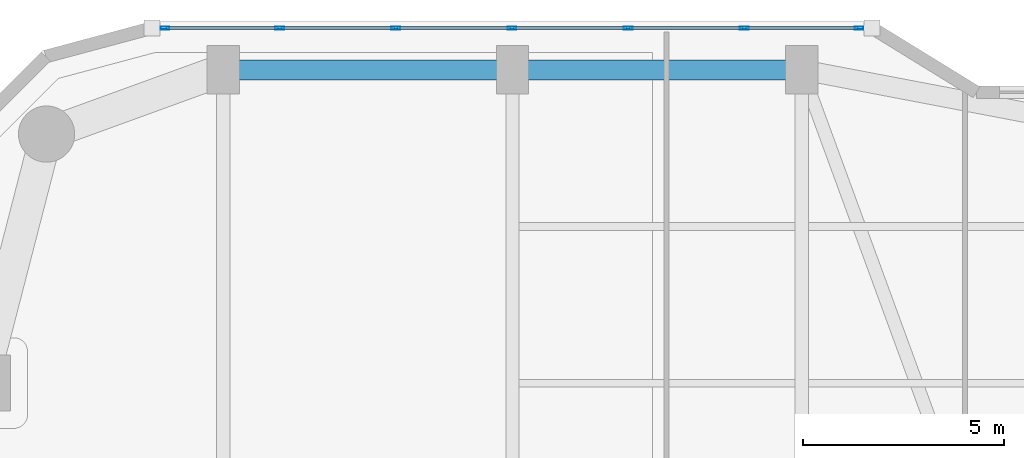
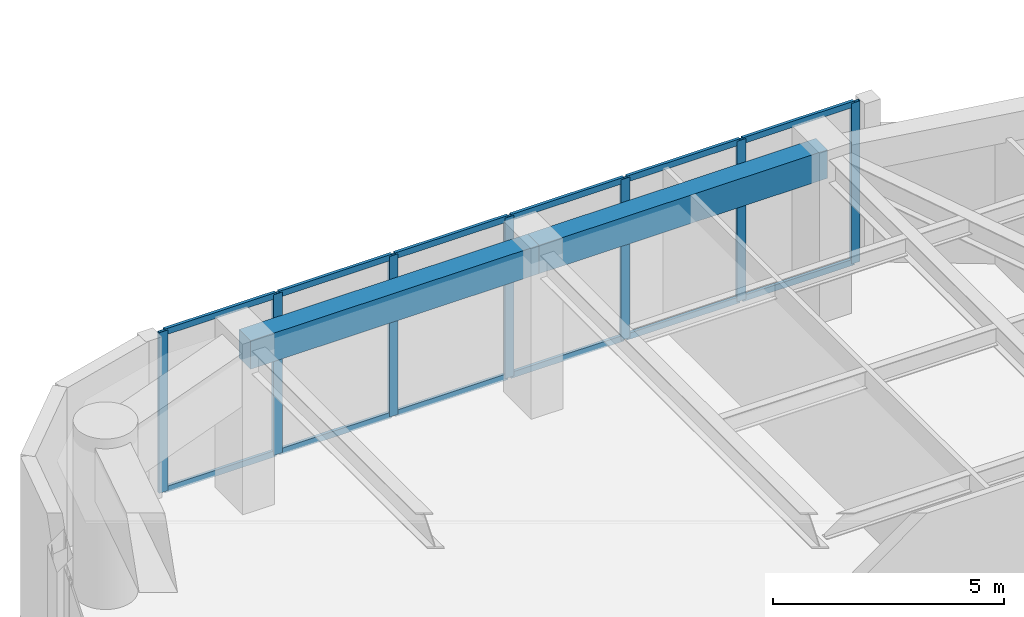
# One storey, part 10 of 20: 19 members, 2 beams, 1 element without a shape of its own.
"""IFC4 building model written with IfcOpenShell, lengths in metres."""

from ifc_helpers import new_model, si_unit, direction, frame, origin, origin_2d, place, context, subcontext, project, spatial, rectangle, hollow_rectangle, extrude, material, layer, layer_set, material_profile, profile_set, type_object, element, aggregate, save


model = new_model("IFC4")

# Units and contexts
model_context = context("Model", 3, precision=1e-05, world=origin(), true_north=direction((0.0, 1.0)))
body_context = subcontext(model_context, "Body", "Model", "MODEL_VIEW")
ifc_project = project(units=[si_unit("LENGTHUNIT", "METRE"), si_unit("AREAUNIT", "SQUARE_METRE"), si_unit("VOLUMEUNIT", "CUBIC_METRE"), si_unit("PLANEANGLEUNIT", "RADIAN"), si_unit("MASSUNIT", "GRAM", prefix="KILO")], contexts=[model_context])

# Site, building, storey
site_placement = place(None, origin())
site = spatial("IfcSite", under=ifc_project, at=site_placement, CompositionType="ELEMENT")
building_placement = place(site_placement, origin())
building = spatial("IfcBuilding", under=site, at=building_placement, Name="Kiyonajd Concourse Tower", CompositionType="ELEMENT")
storey_placement = place(building_placement, frame((0.0, 0.0, 125.39990234375)))
storey = spatial("IfcBuildingStorey", under=building, at=storey_placement, Name="L32", CompositionType="ELEMENT", Elevation=125.39990234375)

# Beams
ifc_material_1 = material(Name="Precast concrete C50/60", Category="concrete")
ifc_material_profile_1 = material_profile(ifc_material_1, rectangle(XDim=0.5, YDim=0.75, at=origin_2d()), Name="RCBM-500x750")
ifc_profile_set_1 = profile_set([ifc_material_profile_1], Name="Precast concrete C50/60")
beam_type = type_object("IfcBeamType", Name="BM-SPAN-RC", PredefinedType="SPANDREL", material=ifc_profile_set_1)
beam_1_placement = place(storey_placement, frame((39.60009765625, 61.199951171875, 3.864990234375), z_axis=(-1.0, 0.0, 0.0), x_axis=(0.0, -1.0, 0.0)))
element("IfcBeam", 1, at=beam_1_placement, inside=storey, type_object=beam_type, Name="L32 Perimeter Bundled Tube Spandrel", PredefinedType="SPANDREL", context=body_context, shape_type="SweptSolid", body=[
    extrude(rectangle(XDim=0.5, YDim=0.75, at=origin_2d()), origin(), (0.0, 0.0, 1.0), 7.2001953125),
])
beam_2_placement = place(storey_placement, frame((32.39990234375, 61.199951171875, 3.864990234375), z_axis=(-1.0, 0.0, 0.0), x_axis=(0.0, -1.0, 0.0)))
element("IfcBeam", 2, at=beam_2_placement, inside=storey, type_object=beam_type, Name="L32 Perimeter Bundled Tube Spandrel", PredefinedType="SPANDREL", context=body_context, shape_type="SweptSolid", body=[
    extrude(rectangle(XDim=0.5, YDim=0.75, at=origin_2d()), origin(), (0.0, 0.0, 1.0), 7.199951171875),
])

# Curtain wall, members
ifc_material_2 = material(Name="Thermally Broken Anodised Aluminium", Category="aluminium")
ifc_layer = layer(ifc_material_2, 0.179931640625)
ifc_layer_set = layer_set([ifc_layer], Name="Thermally Broken Anodised Aluminium")
curtain_wall_type = type_object("IfcCurtainWallType", Name="CW-SYS-05", PredefinedType="NOTDEFINED", material=ifc_layer_set)
curtain_wall_placement = place(storey_placement, origin())
curtain_wall = element("IfcCurtainWall", 3, at=curtain_wall_placement, inside=storey, type_object=curtain_wall_type, Name="L32 Unitised Curtain Wall CW5", PredefinedType="NOTDEFINED")
ifc_material_profile_2 = material_profile(ifc_material_2, hollow_rectangle(XDim=0.074951171875, YDim=0.219970703125, WallThickness=0.0048828125, at=origin_2d()), Name="MULL-75x220")
ifc_profile_set_2 = profile_set([ifc_material_profile_2], Name="Thermally Broken Anodised Aluminium")
member_type_1 = type_object("IfcMemberType", Name="MB-CW-MULL2", PredefinedType="MULLION", material=ifc_profile_set_2)
member_1_placement = place(storey_placement, frame((23.74853515625, 62.239990234375, 0.0), z_axis=(0.0, 0.0, 1.0), x_axis=(0.0, 1.0, 0.0)))
member_1 = element("IfcMember", 4, at=member_1_placement, type_object=member_type_1, Name="CW5 mullion 1", PredefinedType="MULLION", context=body_context, shape_type="SweptSolid", body=[
    extrude(hollow_rectangle(XDim=0.074951171875, YDim=0.219970703125, WallThickness=0.0048828125, at=origin_2d()), origin(), (0.0, 0.0, 1.0), 4.239990234375),
])
member_2_placement = place(storey_placement, frame((26.603271484375, 62.239990234375, 0.0), z_axis=(0.0, 0.0, 1.0), x_axis=(0.0, 1.0, 0.0)))
member_2 = element("IfcMember", 5, at=member_2_placement, type_object=member_type_1, Name="CW5 mullion 2", PredefinedType="MULLION", context=body_context, shape_type="SweptSolid", body=[
    extrude(hollow_rectangle(XDim=0.074951171875, YDim=0.219970703125, WallThickness=0.0048828125, at=origin_2d()), origin(), (0.0, 0.0, 1.0), 4.239990234375),
])
member_3_placement = place(storey_placement, frame((29.49560546875, 62.239990234375, 0.0), z_axis=(0.0, 0.0, 1.0), x_axis=(0.0, 1.0, 0.0)))
member_3 = element("IfcMember", 6, at=member_3_placement, type_object=member_type_1, Name="CW5 mullion 3", PredefinedType="MULLION", context=body_context, shape_type="SweptSolid", body=[
    extrude(hollow_rectangle(XDim=0.074951171875, YDim=0.219970703125, WallThickness=0.0048828125, at=origin_2d()), origin(), (0.0, 0.0, 1.0), 4.239990234375),
])
member_4_placement = place(storey_placement, frame((32.387939453125, 62.239990234375, 0.0), z_axis=(0.0, 0.0, 1.0), x_axis=(0.0, 1.0, 0.0)))
member_4 = element("IfcMember", 7, at=member_4_placement, type_object=member_type_1, Name="CW5 mullion 4", PredefinedType="MULLION", context=body_context, shape_type="SweptSolid", body=[
    extrude(hollow_rectangle(XDim=0.074951171875, YDim=0.219970703125, WallThickness=0.0048828125, at=origin_2d()), origin(), (0.0, 0.0, 1.0), 4.239990234375),
])
member_5_placement = place(storey_placement, frame((35.2802734375, 62.239990234375, 0.0), z_axis=(0.0, 0.0, 1.0), x_axis=(0.0, 1.0, 0.0)))
member_5 = element("IfcMember", 8, at=member_5_placement, type_object=member_type_1, Name="CW5 mullion 5", PredefinedType="MULLION", context=body_context, shape_type="SweptSolid", body=[
    extrude(hollow_rectangle(XDim=0.074951171875, YDim=0.219970703125, WallThickness=0.0048828125, at=origin_2d()), origin(), (0.0, 0.0, 1.0), 4.239990234375),
])
member_6_placement = place(storey_placement, frame((38.17236328125, 62.239990234375, 0.0), z_axis=(0.0, 0.0, 1.0), x_axis=(0.0, 1.0, 0.0)))
member_6 = element("IfcMember", 9, at=member_6_placement, type_object=member_type_1, Name="CW5 mullion 6", PredefinedType="MULLION", context=body_context, shape_type="SweptSolid", body=[
    extrude(hollow_rectangle(XDim=0.074951171875, YDim=0.219970703125, WallThickness=0.0048828125, at=origin_2d()), origin(), (0.0, 0.0, 1.0), 4.239990234375),
])
member_7_placement = place(storey_placement, frame((41.027099609375, 62.239990234375, 0.0), z_axis=(0.0, 0.0, 1.0), x_axis=(0.0, 1.0, 0.0)))
member_7 = element("IfcMember", 10, at=member_7_placement, type_object=member_type_1, Name="CW5 mullion 7", PredefinedType="MULLION", context=body_context, shape_type="SweptSolid", body=[
    extrude(hollow_rectangle(XDim=0.074951171875, YDim=0.219970703125, WallThickness=0.0048828125, at=origin_2d()), origin(), (0.0, 0.0, 1.0), 4.239990234375),
])
ifc_material_profile_3 = material_profile(ifc_material_2, hollow_rectangle(XDim=0.074951171875, YDim=0.159912109375, WallThickness=0.0048828125, at=origin_2d()), Name="TRAN-75x160")
ifc_profile_set_3 = profile_set([ifc_material_profile_3], Name="Thermally Broken Anodised Aluminium")
member_type_2 = type_object("IfcMemberType", Name="MB-CW-TRAN2", PredefinedType="USERDEFINED", material=ifc_profile_set_3)
member_8_placement = place(storey_placement, frame((23.7861328125, 62.239990234375, 0.03759765625), z_axis=(1.0, 0.0, 0.0), x_axis=(0.0, 1.0, 0.0)))
member_8 = element("IfcMember", 11, at=member_8_placement, type_object=member_type_2, Name="CW5 transom 1.1", ObjectType="TRANSOM", PredefinedType="USERDEFINED", context=body_context, shape_type="SweptSolid", body=[
    extrude(hollow_rectangle(XDim=0.074951171875, YDim=0.159912109375, WallThickness=0.0048828125, at=origin_2d()), origin(), (0.0, 0.0, 1.0), 2.77978515625),
])
member_9_placement = place(storey_placement, frame((23.7861328125, 62.239990234375, 4.20263671875), z_axis=(1.0, 0.0, 0.0), x_axis=(0.0, 1.0, 0.0)))
member_9 = element("IfcMember", 12, at=member_9_placement, type_object=member_type_2, Name="CW5 transom 1.2", ObjectType="TRANSOM", PredefinedType="USERDEFINED", context=body_context, shape_type="SweptSolid", body=[
    extrude(hollow_rectangle(XDim=0.074951171875, YDim=0.159912109375, WallThickness=0.0048828125, at=origin_2d()), origin(), (0.0, 0.0, 1.0), 2.77978515625),
])
member_10_placement = place(storey_placement, frame((26.640869140625, 62.239990234375, 0.03759765625), z_axis=(1.0, 0.0, 0.0), x_axis=(0.0, 1.0, 0.0)))
member_10 = element("IfcMember", 13, at=member_10_placement, type_object=member_type_2, Name="CW5 transom 2.1", ObjectType="TRANSOM", PredefinedType="USERDEFINED", context=body_context, shape_type="SweptSolid", body=[
    extrude(hollow_rectangle(XDim=0.074951171875, YDim=0.159912109375, WallThickness=0.0048828125, at=origin_2d()), origin(), (0.0, 0.0, 1.0), 2.8173828125),
])
member_11_placement = place(storey_placement, frame((26.640869140625, 62.239990234375, 4.20263671875), z_axis=(1.0, 0.0, 0.0), x_axis=(0.0, 1.0, 0.0)))
member_11 = element("IfcMember", 14, at=member_11_placement, type_object=member_type_2, Name="CW5 transom 2.2", ObjectType="TRANSOM", PredefinedType="USERDEFINED", context=body_context, shape_type="SweptSolid", body=[
    extrude(hollow_rectangle(XDim=0.074951171875, YDim=0.159912109375, WallThickness=0.0048828125, at=origin_2d()), origin(), (0.0, 0.0, 1.0), 2.8173828125),
])
member_12_placement = place(storey_placement, frame((29.533203125, 62.239990234375, 0.03759765625), z_axis=(1.0, 0.0, 0.0), x_axis=(0.0, 1.0, 0.0)))
member_12 = element("IfcMember", 15, at=member_12_placement, type_object=member_type_2, Name="CW5 transom 3.1", ObjectType="TRANSOM", PredefinedType="USERDEFINED", context=body_context, shape_type="SweptSolid", body=[
    extrude(hollow_rectangle(XDim=0.074951171875, YDim=0.159912109375, WallThickness=0.0048828125, at=origin_2d()), origin(), (0.0, 0.0, 1.0), 2.817138671875),
])
member_13_placement = place(storey_placement, frame((29.533203125, 62.239990234375, 4.20263671875), z_axis=(1.0, 0.0, 0.0), x_axis=(0.0, 1.0, 0.0)))
member_13 = element("IfcMember", 16, at=member_13_placement, type_object=member_type_2, Name="CW5 transom 3.2", ObjectType="TRANSOM", PredefinedType="USERDEFINED", context=body_context, shape_type="SweptSolid", body=[
    extrude(hollow_rectangle(XDim=0.074951171875, YDim=0.159912109375, WallThickness=0.0048828125, at=origin_2d()), origin(), (0.0, 0.0, 1.0), 2.817138671875),
])
member_14_placement = place(storey_placement, frame((32.42529296875, 62.239990234375, 0.03759765625), z_axis=(1.0, 0.0, 0.0), x_axis=(0.0, 1.0, 0.0)))
member_14 = element("IfcMember", 17, at=member_14_placement, type_object=member_type_2, Name="CW5 transom 4.1", ObjectType="TRANSOM", PredefinedType="USERDEFINED", context=body_context, shape_type="SweptSolid", body=[
    extrude(hollow_rectangle(XDim=0.074951171875, YDim=0.159912109375, WallThickness=0.0048828125, at=origin_2d()), origin(), (0.0, 0.0, 1.0), 2.8173828125),
])
member_15_placement = place(storey_placement, frame((32.42529296875, 62.239990234375, 4.20263671875), z_axis=(1.0, 0.0, 0.0), x_axis=(0.0, 1.0, 0.0)))
member_15 = element("IfcMember", 18, at=member_15_placement, type_object=member_type_2, Name="CW5 transom 4.2", ObjectType="TRANSOM", PredefinedType="USERDEFINED", context=body_context, shape_type="SweptSolid", body=[
    extrude(hollow_rectangle(XDim=0.074951171875, YDim=0.159912109375, WallThickness=0.0048828125, at=origin_2d()), origin(), (0.0, 0.0, 1.0), 2.8173828125),
])
member_16_placement = place(storey_placement, frame((35.317626953125, 62.239990234375, 0.03759765625), z_axis=(1.0, 0.0, 0.0), x_axis=(0.0, 1.0, 0.0)))
member_16 = element("IfcMember", 19, at=member_16_placement, type_object=member_type_2, Name="CW5 transom 5.1", ObjectType="TRANSOM", PredefinedType="USERDEFINED", context=body_context, shape_type="SweptSolid", body=[
    extrude(hollow_rectangle(XDim=0.074951171875, YDim=0.159912109375, WallThickness=0.0048828125, at=origin_2d()), origin(), (0.0, 0.0, 1.0), 2.8173828125),
])
member_17_placement = place(storey_placement, frame((35.317626953125, 62.239990234375, 4.20263671875), z_axis=(1.0, 0.0, 0.0), x_axis=(0.0, 1.0, 0.0)))
member_17 = element("IfcMember", 20, at=member_17_placement, type_object=member_type_2, Name="CW5 transom 5.2", ObjectType="TRANSOM", PredefinedType="USERDEFINED", context=body_context, shape_type="SweptSolid", body=[
    extrude(hollow_rectangle(XDim=0.074951171875, YDim=0.159912109375, WallThickness=0.0048828125, at=origin_2d()), origin(), (0.0, 0.0, 1.0), 2.8173828125),
])
member_18_placement = place(storey_placement, frame((38.2099609375, 62.239990234375, 0.03759765625), z_axis=(1.0, 0.0, 0.0), x_axis=(0.0, 1.0, 0.0)))
member_18 = element("IfcMember", 21, at=member_18_placement, type_object=member_type_2, Name="CW5 transom 6.1", ObjectType="TRANSOM", PredefinedType="USERDEFINED", context=body_context, shape_type="SweptSolid", body=[
    extrude(hollow_rectangle(XDim=0.074951171875, YDim=0.159912109375, WallThickness=0.0048828125, at=origin_2d()), origin(), (0.0, 0.0, 1.0), 2.77978515625),
])
member_19_placement = place(storey_placement, frame((38.2099609375, 62.239990234375, 4.20263671875), z_axis=(1.0, 0.0, 0.0), x_axis=(0.0, 1.0, 0.0)))
member_19 = element("IfcMember", 22, at=member_19_placement, type_object=member_type_2, Name="CW5 transom 6.2", ObjectType="TRANSOM", PredefinedType="USERDEFINED", context=body_context, shape_type="SweptSolid", body=[
    extrude(hollow_rectangle(XDim=0.074951171875, YDim=0.159912109375, WallThickness=0.0048828125, at=origin_2d()), origin(), (0.0, 0.0, 1.0), 2.77978515625),
])
aggregate(curtain_wall, [member_1, member_2, member_3, member_4, member_5, member_6, member_7, member_8, member_9, member_10, member_11, member_12, member_13, member_14, member_15, member_16, member_17, member_18, member_19])

save(model, "model.ifc")
